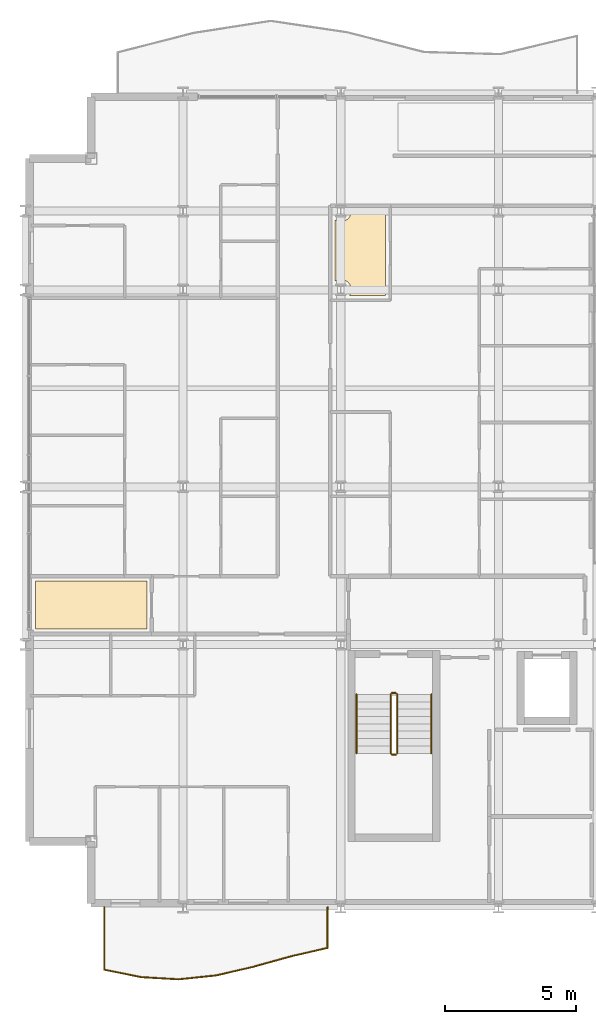
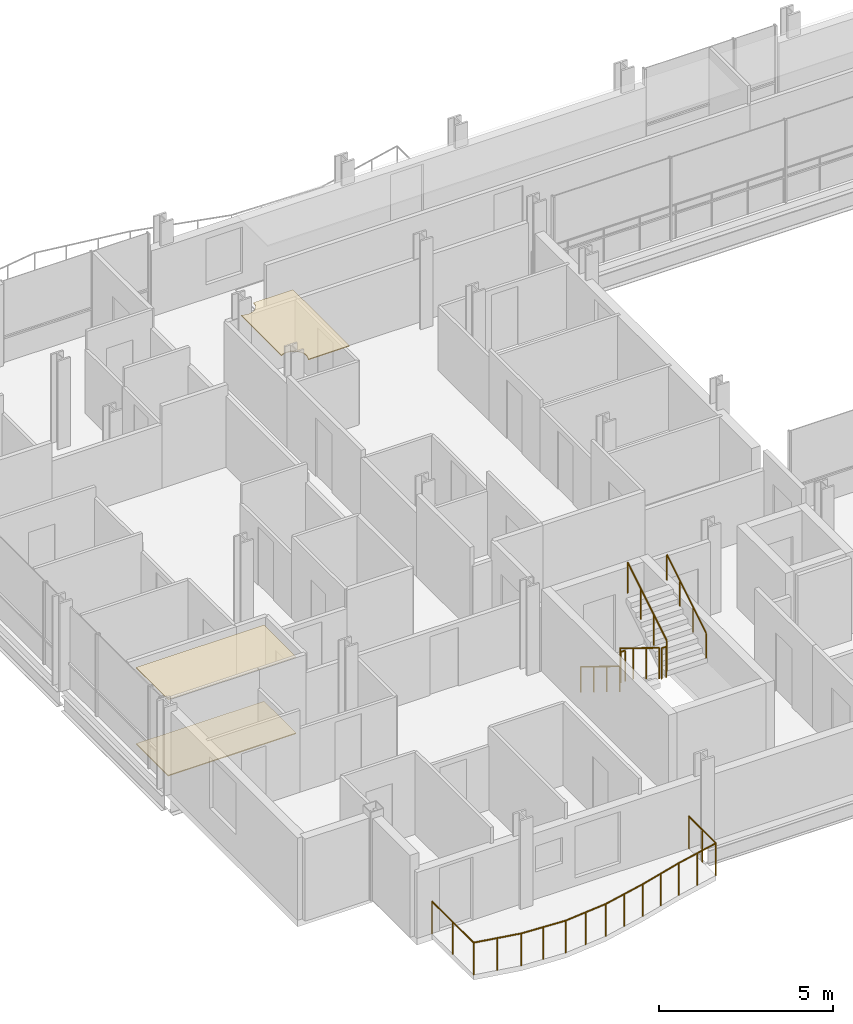
# One storey, part 38 of 41: 7 railings, 3 coverings.
"""IFC4 building model written with IfcOpenShell, lengths in metres."""

from ifc_helpers import new_model, si_unit, direction, frame, origin, origin_2d, place, context, subcontext, project, spatial, polyline, circle, outline, extrude, material, layer, layer_set, type_object, element, save


model = new_model("IFC4")

# Units and contexts
model_context = context("Model", 3, precision=1e-05, world=origin(), true_north=direction((0.0, 1.0)))
body_context = subcontext(model_context, "Body", "Model", "MODEL_VIEW")
ifc_project = project(units=[si_unit("LENGTHUNIT", "METRE"), si_unit("AREAUNIT", "SQUARE_METRE"), si_unit("VOLUMEUNIT", "CUBIC_METRE"), si_unit("PLANEANGLEUNIT", "RADIAN"), si_unit("MASSUNIT", "GRAM", prefix="KILO")], contexts=[model_context])

# Site, building, storey
site_placement = place(None, origin())
site = spatial("IfcSite", under=ifc_project, at=site_placement, CompositionType="ELEMENT")
building_placement = place(site_placement, origin())
building = spatial("IfcBuilding", under=site, at=building_placement, Name="Brevholm Reach", CompositionType="ELEMENT")
storey_placement = place(building_placement, frame((0.0, 0.0, 68.300048828125)))
storey = spatial("IfcBuildingStorey", under=building, at=storey_placement, Name="L19", CompositionType="ELEMENT", Elevation=68.300048828125)

# Coverings
ifc_material_1 = material(Name="Moisture-Resistant Skimmed Gypsum Plasterboard Ceiling", Category="gypsum")
ifc_layer_1 = layer(ifc_material_1, 0.030029296875)
ifc_layer_set_1 = layer_set([ifc_layer_1], Name="Moisture-Resistant Skimmed Gypsum Plasterboard Ceiling")
covering_type_1 = type_object("IfcCoveringType", Name="COV-CLG-GYP", PredefinedType="CEILING", material=ifc_layer_set_1)
covering_1_placement = place(storey_placement, frame((0.0, 0.0, 2.669921875)))
element("IfcCovering", 1, at=covering_1_placement, inside=storey, type_object=covering_type_1, Name="L19 Suspended Ceiling L19-34", PredefinedType="CEILING", context=body_context, shape_type="SweptSolid", body=[
    extrude(outline(polyline([(0.3798828125, 12.419921875), (4.615966796875, 12.419921875), (4.615966796875, 10.583984375), (0.3798828125, 10.583984375), (0.3798828125, 12.419921875)])), origin(), (0.0, 0.0, 1.0), 0.030029296875),
])
covering_2_placement = place(storey_placement, frame((0.0, 0.0, 2.669921875)))
element("IfcCovering", 2, at=covering_2_placement, inside=storey, type_object=covering_type_1, Name="L19 Suspended Ceiling L19-54", PredefinedType="CEILING", context=body_context, shape_type="SweptSolid", body=[
    extrude(outline(polyline([(13.708984375, 23.280029296875), (12.333984375, 23.280029296875), (12.352783203125, 23.311279296875), (12.36962890625, 23.346923828125), (12.3828125, 23.3837890625), (12.392333984375, 23.422119140625), (12.398193359375, 23.460693359375), (12.39990234375, 23.5), (12.398193359375, 23.539306640625), (12.392333984375, 23.577880859375), (12.3828125, 23.6162109375), (12.36962890625, 23.653076171875), (12.352783203125, 23.688720703125), (12.33251953125, 23.72216796875), (12.30908203125, 23.75390625), (12.28271484375, 23.78271484375), (12.25390625, 23.80908203125), (12.22216796875, 23.83251953125), (12.188720703125, 23.852783203125), (12.153076171875, 23.86962890625), (12.1162109375, 23.8828125), (12.077880859375, 23.892333984375), (12.039306640625, 23.898193359375), (12.0, 23.89990234375), (11.960693359375, 23.898193359375), (11.922119140625, 23.892333984375), (11.8837890625, 23.8828125), (11.846923828125, 23.86962890625), (11.811279296875, 23.852783203125), (11.783935546875, 23.836181640625), (11.783935546875, 26.163818359375), (11.811279296875, 26.147216796875), (11.846923828125, 26.13037109375), (11.8837890625, 26.1171875), (11.922119140625, 26.107666015625), (11.960693359375, 26.101806640625), (12.0, 26.10009765625), (12.039306640625, 26.101806640625), (12.077880859375, 26.107666015625), (12.1162109375, 26.1171875), (12.153076171875, 26.13037109375), (12.188720703125, 26.147216796875), (12.22216796875, 26.16748046875), (12.25390625, 26.19091796875), (12.28271484375, 26.21728515625), (12.30908203125, 26.24609375), (12.33251953125, 26.27783203125), (12.352783203125, 26.311279296875), (12.36962890625, 26.346923828125), (12.3828125, 26.3837890625), (12.392333984375, 26.422119140625), (12.398193359375, 26.460693359375), (12.39990234375, 26.5), (12.399169921875, 26.51611328125), (13.708984375, 26.51611328125), (13.708984375, 23.280029296875)])), origin(), (0.0, 0.0, 1.0), 0.030029296875),
])
ifc_material_2 = material(Name="Honed Portland-Aggregate Resin Terrazzo Flooring", Category="concrete")
ifc_layer_2 = layer(ifc_material_2, 0.031982421875)
ifc_layer_set_2 = layer_set([ifc_layer_2], Name="Honed Portland-Aggregate Resin Terrazzo Flooring")
covering_type_2 = type_object("IfcCoveringType", Name="COV-FLR-TRZ", PredefinedType="FLOORING", material=ifc_layer_set_2)
covering_3_placement = place(storey_placement, origin())
element("IfcCovering", 3, at=covering_3_placement, inside=storey, type_object=covering_type_2, Name="L19 Floor Finish L19-34", PredefinedType="FLOORING", context=body_context, shape_type="SweptSolid", body=[
    extrude(outline(polyline([(0.3798828125, 12.419921875), (4.615966796875, 12.419921875), (4.615966796875, 10.583984375), (0.3798828125, 10.583984375), (0.3798828125, 12.419921875)])), origin(), (0.0, 0.0, 1.0), 0.031982421875),
])

# Railings
ifc_material_3 = material(Name="Brushed Stainless Steel EN 1.4401 and Laminated Glass", Category="steel")
railing_type_1 = type_object("IfcRailingType", Name="RAL-BALC-1150", PredefinedType="BALUSTRADE", material=ifc_material_3)
railing_1_placement = place(storey_placement, frame((3.0, 0.0, 0.0)))
element("IfcRailing", 4, at=railing_1_placement, inside=storey, type_object=railing_type_1, Name="L19 Guard Balustrade RAL-L19-BAL-SW", PredefinedType="BALUSTRADE", context=body_context, shape_type="SweptSolid", body=[
    extrude(circle(Radius=0.02392578125, at=origin_2d()), frame((0.0, 0.0, 1.1259765625), z_axis=(0.0, -1.0, 0.0), x_axis=(1.0, 0.0, 0.0)), (0.0, 0.0, 1.0), 2.38134765625),
    extrude(circle(Radius=0.02392578125, at=origin_2d()), frame((0.0, -2.38134765625, 1.1259765625), z_axis=(0.980502614423, -0.196506038355, 0.0), x_axis=(0.196506038355, 0.980502614423, 0.0)), (0.0, 0.0, 1.0), 1.44482421875),
    extrude(circle(Radius=0.02392578125, at=origin_2d()), frame((1.416748046875, -2.665283203125, 1.1259765625), z_axis=(0.998327360231, -0.057814200799, 0.0), x_axis=(0.057814200799, 0.998327360231, 0.0)), (0.0, 0.0, 1.0), 1.4189453125),
    extrude(circle(Radius=0.02392578125, at=origin_2d()), frame((2.833251953125, -2.747314453125, 1.1259765625), z_axis=(0.994609205974, 0.103694394212, 0.0), x_axis=(-0.103694394212, 0.994609205974, 0.0)), (0.0, 0.0, 1.0), 1.42431640625),
    extrude(circle(Radius=0.02392578125, at=origin_2d()), frame((4.25, -2.599609375, 1.1259765625), z_axis=(0.974360057668, 0.224994395533, 0.0), x_axis=(-0.224994395533, 0.974360057668, 0.0)), (0.0, 0.0, 1.0), 1.4541015625),
    extrude(circle(Radius=0.02392578125, at=origin_2d()), frame((5.666748046875, -2.2724609375, 1.1259765625), z_axis=(0.963289212232, 0.268465814578, 0.0), x_axis=(-0.268465814578, 0.963289212232, 0.0)), (0.0, 0.0, 1.0), 1.470458984375),
    extrude(circle(Radius=0.02392578125, at=origin_2d()), frame((7.083251953125, -1.877685546875, 1.1259765625), z_axis=(0.974323236677, 0.225153792932, 0.0), x_axis=(-0.225153792932, 0.974323236677, 0.0)), (0.0, 0.0, 1.0), 1.4541015625),
    extrude(circle(Radius=0.02392578125, at=origin_2d()), frame((8.5, -1.55029296875, 1.1259765625), z_axis=(0.0, 1.0, 0.0), x_axis=(-1.0, 0.0, 0.0)), (0.0, 0.0, 1.0), 1.55029296875),
    extrude(circle(Radius=0.02099609375, at=origin_2d()), origin(), (0.0, 0.0, 1.0), 1.101806640625),
    extrude(circle(Radius=0.02099609375, at=origin_2d()), frame((0.0, -1.190673828125, 0.0)), (0.0, 0.0, 1.0), 1.101806640625),
    extrude(circle(Radius=0.02099609375, at=origin_2d()), frame((0.0, -2.38134765625, 0.0)), (0.0, 0.0, 1.0), 1.101806640625),
    extrude(circle(Radius=0.02099609375, at=origin_2d()), frame((0.70849609375, -2.5234375, 0.0)), (0.0, 0.0, 1.0), 1.101806640625),
    extrude(circle(Radius=0.02099609375, at=origin_2d()), frame((1.416748046875, -2.665283203125, 0.0)), (0.0, 0.0, 1.0), 1.101806640625),
    extrude(circle(Radius=0.02099609375, at=origin_2d()), frame((2.125, -2.706298828125, 0.0)), (0.0, 0.0, 1.0), 1.101806640625),
    extrude(circle(Radius=0.02099609375, at=origin_2d()), frame((2.833251953125, -2.747314453125, 0.0)), (0.0, 0.0, 1.0), 1.101806640625),
    extrude(circle(Radius=0.02099609375, at=origin_2d()), frame((3.54150390625, -2.67333984375, 0.0)), (0.0, 0.0, 1.0), 1.101806640625),
    extrude(circle(Radius=0.02099609375, at=origin_2d()), frame((4.25, -2.599609375, 0.0)), (0.0, 0.0, 1.0), 1.101806640625),
    extrude(circle(Radius=0.02099609375, at=origin_2d()), frame((4.95849609375, -2.43603515625, 0.0)), (0.0, 0.0, 1.0), 1.101806640625),
    extrude(circle(Radius=0.02099609375, at=origin_2d()), frame((5.666748046875, -2.2724609375, 0.0)), (0.0, 0.0, 1.0), 1.101806640625),
    extrude(circle(Radius=0.02099609375, at=origin_2d()), frame((6.375, -2.0751953125, 0.0)), (0.0, 0.0, 1.0), 1.101806640625),
    extrude(circle(Radius=0.02099609375, at=origin_2d()), frame((7.083251953125, -1.877685546875, 0.0)), (0.0, 0.0, 1.0), 1.101806640625),
    extrude(circle(Radius=0.02099609375, at=origin_2d()), frame((7.79150390625, -1.7138671875, 0.0)), (0.0, 0.0, 1.0), 1.101806640625),
    extrude(circle(Radius=0.02099609375, at=origin_2d()), frame((8.5, -1.55029296875, 0.0)), (0.0, 0.0, 1.0), 1.101806640625),
    extrude(circle(Radius=0.02099609375, at=origin_2d()), frame((8.5, -0.775146484375, 0.0)), (0.0, 0.0, 1.0), 1.101806640625),
    extrude(circle(Radius=0.02099609375, at=origin_2d()), frame((8.5, 0.0, 0.0)), (0.0, 0.0, 1.0), 1.101806640625),
])
ifc_material_4 = material(Name="Brushed Stainless Steel EN 1.4401 Continuous Handrail", Category="steel")
railing_type_2 = type_object("IfcRailingType", Name="RAL-HND-950", PredefinedType="HANDRAIL", material=ifc_material_4)
railing_2_placement = place(storey_placement, frame((12.60009765625, 8.10009765625, 0.172119140625)))
element("IfcRailing", 5, at=railing_2_placement, inside=storey, type_object=railing_type_2, Name="L19 ST-1 stair handrail 1", PredefinedType="HANDRAIL", context=body_context, shape_type="SweptSolid", body=[
    extrude(circle(Radius=0.02392578125, at=origin_2d()), frame((0.0, 0.0, 0.8857421875), z_axis=(0.0, -0.851747552033, 0.523952390591), x_axis=(1.0, 0.0, 0.0)), (0.0, 0.0, 1.0), 2.6298828125),
    extrude(circle(Radius=0.02099609375, at=origin_2d()), origin(), (0.0, 0.0, 1.0), 0.86181640625),
    extrude(circle(Radius=0.02099609375, at=origin_2d()), frame((0.0, -0.74658203125, 0.459228515625)), (0.0, 0.0, 1.0), 0.86181640625),
    extrude(circle(Radius=0.02099609375, at=origin_2d()), frame((0.0, -1.493408203125, 0.918701171875)), (0.0, 0.0, 1.0), 0.86181640625),
    extrude(circle(Radius=0.02099609375, at=origin_2d()), frame((0.0, -2.239990234375, 1.3779296875)), (0.0, 0.0, 1.0), 0.86181640625),
])
railing_3_placement = place(storey_placement, frame((15.449951171875, 5.860107421875, 1.72216796875)))
element("IfcRailing", 6, at=railing_3_placement, inside=storey, type_object=railing_type_2, Name="L19 ST-1 stair handrail 2", PredefinedType="HANDRAIL", context=body_context, shape_type="SweptSolid", body=[
    extrude(circle(Radius=0.02392578125, at=origin_2d()), frame((0.0, 0.0, 0.8857421875), z_axis=(0.0, 0.85178898068, 0.523885037382), x_axis=(-1.0, 0.0, 0.0)), (0.0, 0.0, 1.0), 2.629638671875),
    extrude(circle(Radius=0.02099609375, at=origin_2d()), origin(), (0.0, 0.0, 1.0), 0.86181640625),
    extrude(circle(Radius=0.02099609375, at=origin_2d()), frame((0.0, 0.74658203125, 0.459228515625)), (0.0, 0.0, 1.0), 0.86181640625),
    extrude(circle(Radius=0.02099609375, at=origin_2d()), frame((0.0, 1.493408203125, 0.91845703125)), (0.0, 0.0, 1.0), 0.86181640625),
    extrude(circle(Radius=0.02099609375, at=origin_2d()), frame((0.0, 2.239990234375, 1.377685546875)), (0.0, 0.0, 1.0), 0.86181640625),
])
ifc_material_5 = material(Name="Painted Tubular Galvanised Steel S275JR Stair Guard", Category="steel")
railing_type_3 = type_object("IfcRailingType", Name="RAL-STG-1120", PredefinedType="BALUSTRADE", material=ifc_material_5)
railing_4_placement = place(storey_placement, frame((13.89990234375, 8.10009765625, 0.172119140625)))
element("IfcRailing", 7, at=railing_4_placement, inside=storey, type_object=railing_type_3, Name="L19 ST-1 stair guard 1", PredefinedType="BALUSTRADE", context=body_context, shape_type="SweptSolid", body=[
    extrude(circle(Radius=0.02392578125, at=origin_2d()), frame((0.0, 0.0, 1.076171875), z_axis=(0.0, -0.851747552033, 0.523952390591), x_axis=(1.0, 0.0, 0.0)), (0.0, 0.0, 1.0), 2.6298828125),
    extrude(circle(Radius=0.02099609375, at=origin_2d()), origin(), (0.0, 0.0, 1.0), 1.052001953125),
    extrude(circle(Radius=0.02099609375, at=origin_2d()), frame((0.0, -0.74658203125, 0.459228515625)), (0.0, 0.0, 1.0), 1.052001953125),
    extrude(circle(Radius=0.02099609375, at=origin_2d()), frame((0.0, -1.493408203125, 0.918701171875)), (0.0, 0.0, 1.0), 1.052001953125),
    extrude(circle(Radius=0.02099609375, at=origin_2d()), frame((0.0, -2.239990234375, 1.3779296875)), (0.0, 0.0, 1.0), 1.052001953125),
])
railing_5_placement = place(storey_placement, frame((13.949951171875, 5.81005859375, 1.550048828125)))
element("IfcRailing", 8, at=railing_5_placement, inside=storey, type_object=railing_type_3, Name="L19 ST-1 stair guard 2", PredefinedType="BALUSTRADE", context=body_context, shape_type="SweptSolid", body=[
    extrude(circle(Radius=0.02392578125, at=origin_2d()), frame((0.0, 0.0, 1.076171875), z_axis=(1.0, 0.0, 0.0), x_axis=(0.0, 1.0, 0.0)), (0.0, 0.0, 1.0), 0.150146484375),
    extrude(circle(Radius=0.02099609375, at=origin_2d()), origin(), (0.0, 0.0, 1.0), 1.052001953125),
    extrude(circle(Radius=0.02099609375, at=origin_2d()), frame((0.150146484375, 0.0, 0.0)), (0.0, 0.0, 1.0), 1.052001953125),
])
railing_6_placement = place(storey_placement, frame((14.14990234375, 5.860107421875, 1.72216796875)))
element("IfcRailing", 9, at=railing_6_placement, inside=storey, type_object=railing_type_3, Name="L19 ST-1 stair guard 3", PredefinedType="BALUSTRADE", context=body_context, shape_type="SweptSolid", body=[
    extrude(circle(Radius=0.02392578125, at=origin_2d()), frame((0.0, 0.0, 1.076171875), z_axis=(0.0, 0.85178898068, 0.523885037382), x_axis=(-1.0, 0.0, 0.0)), (0.0, 0.0, 1.0), 2.629638671875),
    extrude(circle(Radius=0.02099609375, at=origin_2d()), origin(), (0.0, 0.0, 1.0), 1.052001953125),
    extrude(circle(Radius=0.02099609375, at=origin_2d()), frame((0.0, 0.74658203125, 0.459228515625)), (0.0, 0.0, 1.0), 1.052001953125),
    extrude(circle(Radius=0.02099609375, at=origin_2d()), frame((0.0, 1.493408203125, 0.91845703125)), (0.0, 0.0, 1.0), 1.052001953125),
    extrude(circle(Radius=0.02099609375, at=origin_2d()), frame((0.0, 2.239990234375, 1.377685546875)), (0.0, 0.0, 1.0), 1.052001953125),
])
railing_7_placement = place(storey_placement, frame((13.949951171875, 8.14990234375, 0.0)))
element("IfcRailing", 10, at=railing_7_placement, inside=storey, type_object=railing_type_3, Name="L19 ST-1 stair guard 4", PredefinedType="BALUSTRADE", context=body_context, shape_type="SweptSolid", body=[
    extrude(circle(Radius=0.02392578125, at=origin_2d()), frame((0.0, 0.0, 1.076171875), z_axis=(1.0, 0.0, 0.0), x_axis=(0.0, 1.0, 0.0)), (0.0, 0.0, 1.0), 0.150146484375),
    extrude(circle(Radius=0.02099609375, at=origin_2d()), origin(), (0.0, 0.0, 1.0), 1.052001953125),
    extrude(circle(Radius=0.02099609375, at=origin_2d()), frame((0.150146484375, 0.0, 0.0)), (0.0, 0.0, 1.0), 1.052001953125),
])

save(model, "model.ifc")
